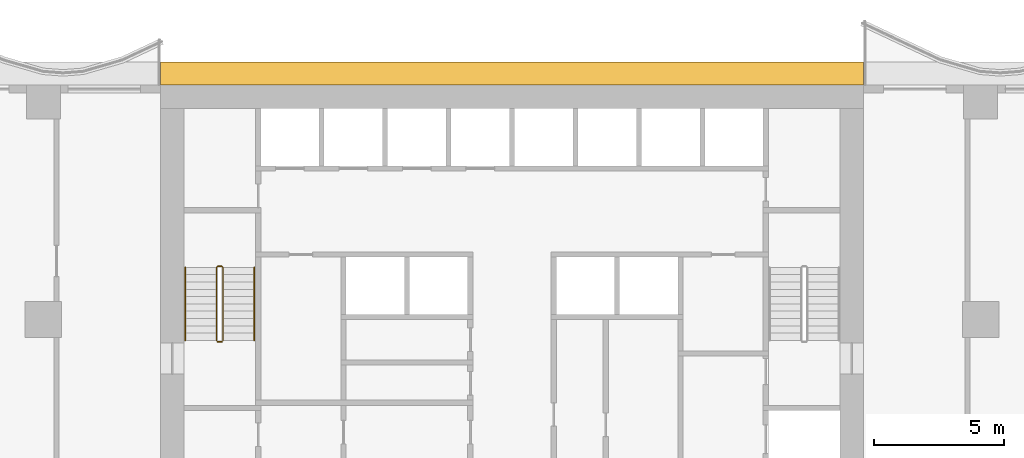
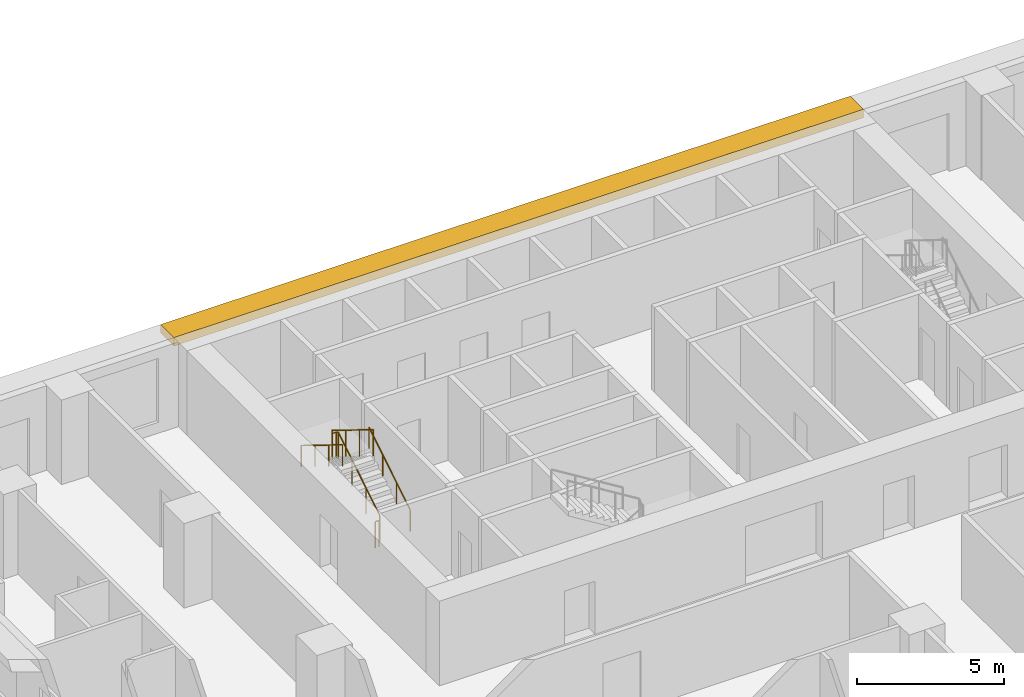
# One storey, part 11 of 13: 4 railings, 1 shading device.
"""IFC4 building model written with IfcOpenShell, lengths in metres."""

import ifcopenshell
import ifcopenshell.guid

model = None  # the IFC model being written
_history = None  # IfcOwnerHistory: only IFC2X3 demands one
_inside = {}  # id of a spatial element -> (the spatial element, [elements in it])
_under = {}  # id of a project, library or spatial element -> (it, [spatial elements below it])
_declared = {}  # id of a project -> (the project, [libraries it declares])
_typed = {}  # id of a type object -> (the type object, [elements of that type])
_made_of = {}  # id of a material, layer set ... -> (it, [elements and type objects made of it])


def new_model(schema):
    """Start an empty IFC model of exactly this schema.

    Asked for "IFC4X3", IfcOpenShell would pick the latest addendum, in which some entities
    have other attributes; the version numbers below select the first issue.
    IFC2X3 requires an IfcOwnerHistory on every rooted entity: one is made here for all.
    """
    global model, _history
    if schema == "IFC4X3":
        model = ifcopenshell.file(schema_version=(4, 3, 0, 0))
    else:
        model = ifcopenshell.file(schema=schema)
    _inside.clear()
    _under.clear()
    _declared.clear()
    _typed.clear()
    _made_of.clear()
    _history = None
    if model.schema == "IFC2X3":
        org = make("IfcOrganization", Name="unknown")
        user = make(
            "IfcPersonAndOrganization",
            ThePerson=make("IfcPerson", FamilyName="unknown"),
            TheOrganization=org,
        )
        app = make(
            "IfcApplication",
            ApplicationDeveloper=org,
            Version="unknown",
            ApplicationFullName="unknown",
            ApplicationIdentifier="unknown",
        )
        _history = make(
            "IfcOwnerHistory",
            OwningUser=user,
            OwningApplication=app,
            ChangeAction="ADDED",
            CreationDate=0,
        )
    return model


def make(cls, **values):
    """One entity of the class cls with the attributes given. An attribute that is None is left unset."""
    return model.create_entity(
        cls, **{name: value for name, value in values.items() if value is not None}
    )


def rooted(cls, **values):
    """An entity with a GlobalId (a new one), such as an element, a storey or a relation."""
    return make(cls, GlobalId=ifcopenshell.guid.new(), OwnerHistory=_history, **values)


def si_unit(unit_type, name, prefix=None):
    """IfcSIUnit, for example si_unit("LENGTHUNIT", "METRE", prefix="MILLI")."""
    return make("IfcSIUnit", UnitType=unit_type, Prefix=prefix, Name=name)


def assignment(units):
    """IfcUnitAssignment: the units of a project."""
    return None if units is None else make("IfcUnitAssignment", Units=units)


def point(xyz):
    """IfcCartesianPoint."""
    return None if xyz is None else make("IfcCartesianPoint", Coordinates=xyz)


def direction(xyz):
    """IfcDirection."""
    return None if xyz is None else make("IfcDirection", DirectionRatios=xyz)


def frame(location, z_axis=None, x_axis=None):
    """IfcAxis2Placement3D, a coordinate frame: its origin and axes. An axis left out is left unset."""
    return make(
        "IfcAxis2Placement3D",
        Location=point(location),
        Axis=direction(z_axis),
        RefDirection=direction(x_axis),
    )


def frame_2d(location, x_axis=None):
    """IfcAxis2Placement2D, a coordinate frame in the plane: its origin and x axis."""
    return make(
        "IfcAxis2Placement2D", Location=point(location), RefDirection=direction(x_axis)
    )


def origin():
    """The frame at (0, 0, 0) with its axes left unset."""
    return frame((0.0, 0.0, 0.0))


def origin_2d():
    """The frame at (0, 0) in the plane with its x axis left unset."""
    return frame_2d((0.0, 0.0))


def place(relative_to, where):
    """IfcLocalPlacement: puts the frame where relative to a parent placement (None: the world)."""
    return make(
        "IfcLocalPlacement", PlacementRelTo=relative_to, RelativePlacement=where
    )


def context(
    kind, dimensions, precision=None, world=None, true_north=None, identifier=None
):
    """IfcGeometricRepresentationContext, for example the 3D "Model" context."""
    return make(
        "IfcGeometricRepresentationContext",
        ContextIdentifier=identifier,
        ContextType=kind,
        CoordinateSpaceDimension=dimensions,
        Precision=precision,
        WorldCoordinateSystem=world,
        TrueNorth=true_north,
    )


def subcontext(parent, identifier, kind, view, scale=None):
    """IfcGeometricRepresentationSubContext, for example "Body" below "Model"."""
    return make(
        "IfcGeometricRepresentationSubContext",
        ContextIdentifier=identifier,
        ContextType=kind,
        ParentContext=parent,
        TargetScale=scale,
        TargetView=view,
    )


def project(units=None, contexts=None):
    """IfcProject with its units and contexts."""
    return rooted(
        "IfcProject",
        Name="project",
        RepresentationContexts=contexts,
        UnitsInContext=assignment(units),
    )


def spatial(cls, under=None, at=None, **own):
    """A site, building, storey or space (cls), placed at a placement, below another one or the project."""
    s = rooted(cls, ObjectPlacement=at, **own)
    if under is not None:
        _under.setdefault(under.id(), (under, []))[1].append(s)
    return s


def polyline(points):
    """IfcPolyline through the points."""
    return make("IfcPolyline", Points=[point(p) for p in points])


def profile(cls, at=None, kind="AREA", **sizes):
    """A parametric profile (cls). Its sizes go by their IFC names, for example OverallWidth=200.0."""
    return make(cls, ProfileType=kind, Position=at, **sizes)


def circle(**sizes):
    """IfcCircleProfileDef."""
    return profile("IfcCircleProfileDef", **sizes)


def outline(outer, holes=None, kind="AREA"):
    """IfcArbitraryClosedProfileDef: a profile drawn as a closed curve; with holes, ...WithVoids."""
    if holes is None:
        return make("IfcArbitraryClosedProfileDef", ProfileType=kind, OuterCurve=outer)
    return make(
        "IfcArbitraryProfileDefWithVoids",
        ProfileType=kind,
        OuterCurve=outer,
        InnerCurves=holes,
    )


def extrude(swept, where, along, depth):
    """IfcExtrudedAreaSolid: the profile swept, set in the frame where, extruded along a direction by depth."""
    return make(
        "IfcExtrudedAreaSolid",
        SweptArea=swept,
        Position=where,
        ExtrudedDirection=direction(along),
        Depth=depth,
    )


def shape(context_of_items, identifier, shape_type, items):
    """IfcShapeRepresentation: the items that make up one representation, for example the "Body"."""
    return make(
        "IfcShapeRepresentation",
        ContextOfItems=context_of_items,
        RepresentationIdentifier=identifier,
        RepresentationType=shape_type,
        Items=items,
    )


def material(Name=None, Category=None):
    """IfcMaterial."""
    return make("IfcMaterial", Name=Name, Category=Category)


def layer(
    of_material, thickness, ventilated=None, Name=None, Category=None, Priority=None
):
    """IfcMaterialLayer: one layer of a wall or slab, of a material (None: an air gap)."""
    return make(
        "IfcMaterialLayer",
        Material=of_material,
        LayerThickness=thickness,
        IsVentilated=ventilated,
        Name=Name,
        Category=Category,
        Priority=Priority,
    )


def layer_set(layers, Name=None):
    """IfcMaterialLayerSet."""
    return make("IfcMaterialLayerSet", MaterialLayers=layers, LayerSetName=Name)


def made_of(thing, what):
    """Note that an element or type object is made of a material, layer set ...; save() writes the relation."""
    if what is not None:
        _made_of.setdefault(what.id(), (what, []))[1].append(thing)
    return thing


def type_object(cls, material=None, **own):
    """A type object (cls), such as IfcWallType, which elements share."""
    return made_of(rooted(cls, **own), material)


def element(
    cls,
    number,
    at=None,
    inside=None,
    cuts=None,
    type_object=None,
    material=None,
    context=None,
    identifier="Body",
    shape_type=None,
    held_by="IfcProductDefinitionShape",
    body=None,
    shapes=None,
    **own,
):
    """One element of the class cls, such as IfcWall. Its Tag is "e" and its number.

    at: its placement. inside: the storey or other place that contains it. cuts: it is an
    opening in that element (IfcRelVoidsElement). A single representation is given by context,
    identifier, shape_type and body (its items); several are given by shapes. held_by: the class
    of the entity that holds the representations. save() writes the other relations.
    """
    e = rooted(cls, Tag="e%d" % number, ObjectPlacement=at, **own)
    if body is not None:
        shapes = [shape(context, identifier, shape_type, body)]
    if shapes is not None:
        e.Representation = make(held_by, Representations=shapes)
    if inside is not None:
        _inside.setdefault(inside.id(), (inside, []))[1].append(e)
    if cuts is not None:
        rooted(
            "IfcRelVoidsElement", RelatingBuildingElement=cuts, RelatedOpeningElement=e
        )
    if type_object is not None:
        _typed.setdefault(type_object.id(), (type_object, []))[1].append(e)
    return made_of(e, material)


def aggregate(whole, parts):
    """IfcRelAggregates: a whole, such as a stair, and the parts it consists of."""
    return rooted("IfcRelAggregates", RelatingObject=whole, RelatedObjects=parts)


def save(model, path):
    """Write the relations noted so far, then the file.

    IfcRelAggregates (storeys below a building ...), IfcRelContainedInSpatialStructure (elements
    in a storey), IfcRelDefinesByType, IfcRelAssociatesMaterial and IfcRelDeclares: one each for
    every whole, place, type object, material and project.
    """
    for whole, parts in _under.values():
        aggregate(whole, parts)
    for where, things in _inside.values():
        rooted(
            "IfcRelContainedInSpatialStructure",
            RelatedElements=things,
            RelatingStructure=where,
        )
    for kind, things in _typed.values():
        rooted("IfcRelDefinesByType", RelatedObjects=things, RelatingType=kind)
    for what, things in _made_of.values():
        rooted("IfcRelAssociatesMaterial", RelatedObjects=things, RelatingMaterial=what)
    for by, libraries in _declared.values():
        rooted("IfcRelDeclares", RelatingContext=by, RelatedDefinitions=libraries)
    model.write(path)


model = new_model("IFC4")

# Units and contexts
model_context = context("Model", 3, precision=1e-05, world=origin(), true_north=direction((0.0, 1.0)))
body_context = subcontext(model_context, "Body", "Model", "MODEL_VIEW")
ifc_project = project(units=[si_unit("LENGTHUNIT", "METRE"), si_unit("AREAUNIT", "SQUARE_METRE"), si_unit("VOLUMEUNIT", "CUBIC_METRE"), si_unit("PLANEANGLEUNIT", "RADIAN"), si_unit("MASSUNIT", "GRAM", prefix="KILO")], contexts=[model_context])

# Site, building, storey
site_placement = place(None, origin())
site = spatial("IfcSite", under=ifc_project, at=site_placement, CompositionType="ELEMENT")
building_placement = place(site_placement, origin())
building = spatial("IfcBuilding", under=site, at=building_placement, Name="Orbiselva Terraces", CompositionType="ELEMENT")
storey_placement = place(building_placement, frame((0.0, 0.0, 92.2)))
storey = spatial("IfcBuildingStorey", under=building, at=storey_placement, Name="L23", CompositionType="ELEMENT", Elevation=92.2)

# Railings
ifc_material_1 = material(Name="Stainless steel", Category="steel")
railing_type_1 = type_object("IfcRailingType", Name="CORE-GUARD-1100", PredefinedType="GUARDRAIL", material=ifc_material_1)
railing_1_placement = place(storey_placement, frame((-11.1, 12.7, 0.172727)))
element("IfcRailing", 1, at=railing_1_placement, inside=storey, type_object=railing_type_1, Name="L23 S1 stair guard 1", PredefinedType="GUARDRAIL", context=body_context, shape_type="SweptSolid", body=[
    extrude(circle(Radius=0.024, at=origin_2d()), frame((0.0, 0.0, 1.081), z_axis=(0.0, 0.851088519012, 0.52502222125), x_axis=(-1.0, 0.0, 0.0)), (0.0, 0.0, 1.0), 3.289905),
    extrude(circle(Radius=0.024, at=origin_2d()), frame((0.0, 2.8, 2.808273), z_axis=(-0.707106781187, 0.707106781187, 0.0), x_axis=(-0.707106781187, -0.707106781187, 0.0)), (0.0, 0.0, 1.0), 0.070711),
    extrude(circle(Radius=0.024, at=origin_2d()), frame((-0.05, 2.85, 2.808273), z_axis=(-1.0, 0.0, 0.0), x_axis=(0.0, -1.0, 0.0)), (0.0, 0.0, 1.0), 0.15),
    extrude(circle(Radius=0.024, at=origin_2d()), frame((-0.2, 2.85, 2.808273), z_axis=(-0.267894925557, -0.267894925557, 0.925453736133), x_axis=(0.707106781187, -0.707106781187, 0.0)), (0.0, 0.0, 1.0), 0.18664),
    extrude(circle(Radius=0.024, at=origin_2d()), frame((-0.25, 2.8, 2.981), z_axis=(0.0, -0.851088519012, 0.52502222125), x_axis=(1.0, 0.0, 0.0)), (0.0, 0.0, 1.0), 3.289905),
    extrude(circle(Radius=0.021, at=origin_2d()), origin(), (0.0, 0.0, 1.0), 1.057),
    extrude(circle(Radius=0.021, at=origin_2d()), frame((0.0, 0.933333, 0.575758)), (0.0, 0.0, 1.0), 1.057),
    extrude(circle(Radius=0.021, at=origin_2d()), frame((0.0, 1.866667, 1.151515)), (0.0, 0.0, 1.0), 1.057),
    extrude(circle(Radius=0.021, at=origin_2d()), frame((0.0, 2.8, 1.727273)), (0.0, 0.0, 1.0), 1.057),
    extrude(circle(Radius=0.021, at=origin_2d()), frame((-0.05, 2.85, 1.727273)), (0.0, 0.0, 1.0), 1.057),
    extrude(circle(Radius=0.021, at=origin_2d()), frame((-0.2, 2.85, 1.727273)), (0.0, 0.0, 1.0), 1.057),
    extrude(circle(Radius=0.021, at=origin_2d()), frame((-0.25, 2.8, 1.9)), (0.0, 0.0, 1.0), 1.057),
    extrude(circle(Radius=0.021, at=origin_2d()), frame((-0.25, 1.866667, 2.475758)), (0.0, 0.0, 1.0), 1.057),
    extrude(circle(Radius=0.021, at=origin_2d()), frame((-0.25, 0.933333, 3.051515)), (0.0, 0.0, 1.0), 1.057),
    extrude(circle(Radius=0.021, at=origin_2d()), frame((-0.25, 0.0, 3.627273)), (0.0, 0.0, 1.0), 1.057),
])
railing_2_placement = place(storey_placement, frame((-11.15, 12.65, 0.0)))
element("IfcRailing", 2, at=railing_2_placement, inside=storey, type_object=railing_type_1, Name="L23 S1 stair guard 2", PredefinedType="GUARDRAIL", context=body_context, shape_type="SweptSolid", body=[
    extrude(circle(Radius=0.024, at=origin_2d()), frame((0.0, 0.0, 1.081), z_axis=(-1.0, 0.0, 0.0), x_axis=(0.0, -1.0, 0.0)), (0.0, 0.0, 1.0), 0.15),
    extrude(circle(Radius=0.021, at=origin_2d()), origin(), (0.0, 0.0, 1.0), 1.057),
    extrude(circle(Radius=0.021, at=origin_2d()), frame((-0.15, 0.0, 0.0)), (0.0, 0.0, 1.0), 1.057),
])
railing_type_2 = type_object("IfcRailingType", Name="CORE-HANDRAIL-900", PredefinedType="HANDRAIL", material=ifc_material_1)
railing_3_placement = place(storey_placement, frame((-9.9, 12.7, 0.172727)))
element("IfcRailing", 3, at=railing_3_placement, inside=storey, type_object=railing_type_2, Name="L23 S1 stair handrail 1", PredefinedType="HANDRAIL", context=body_context, shape_type="SweptSolid", body=[
    extrude(circle(Radius=0.024, at=origin_2d()), frame((0.0, 0.0, 0.876), z_axis=(0.0, 0.851088519012, 0.52502222125), x_axis=(-1.0, 0.0, 0.0)), (0.0, 0.0, 1.0), 3.289905),
    extrude(circle(Radius=0.021, at=origin_2d()), origin(), (0.0, 0.0, 1.0), 0.852),
    extrude(circle(Radius=0.021, at=origin_2d()), frame((0.0, 0.933333, 0.575758)), (0.0, 0.0, 1.0), 0.852),
    extrude(circle(Radius=0.021, at=origin_2d()), frame((0.0, 1.866667, 1.151515)), (0.0, 0.0, 1.0), 0.852),
    extrude(circle(Radius=0.021, at=origin_2d()), frame((0.0, 2.8, 1.727273)), (0.0, 0.0, 1.0), 0.852),
])
railing_4_placement = place(storey_placement, frame((-12.55, 15.5, 2.072727)))
element("IfcRailing", 4, at=railing_4_placement, inside=storey, type_object=railing_type_2, Name="L23 S1 stair handrail 2", PredefinedType="HANDRAIL", context=body_context, shape_type="SweptSolid", body=[
    extrude(circle(Radius=0.024, at=origin_2d()), frame((0.0, 0.0, 0.876), z_axis=(0.0, -0.851088519012, 0.52502222125), x_axis=(1.0, 0.0, 0.0)), (0.0, 0.0, 1.0), 3.289905),
    extrude(circle(Radius=0.021, at=origin_2d()), origin(), (0.0, 0.0, 1.0), 0.852),
    extrude(circle(Radius=0.021, at=origin_2d()), frame((0.0, -0.933333, 0.575758)), (0.0, 0.0, 1.0), 0.852),
    extrude(circle(Radius=0.021, at=origin_2d()), frame((0.0, -1.866667, 1.151515)), (0.0, 0.0, 1.0), 0.852),
    extrude(circle(Radius=0.021, at=origin_2d()), frame((0.0, -2.8, 1.727273)), (0.0, 0.0, 1.0), 0.852),
])

# Shading device
ifc_material_2 = material(Name="Terracotta baguette sunshade", Category="masonry")
ifc_layer = layer(ifc_material_2, 0.35)
ifc_layer_set = layer_set([ifc_layer], Name="Terracotta baguette sunshade")
shading_device_type = type_object("IfcShadingDeviceType", Name="ENV-SUNSHADE-900x350", PredefinedType="USERDEFINED", material=ifc_layer_set)
shading_device_placement = place(storey_placement, frame((0.0, 0.0, 3.15)))
element("IfcShadingDevice", 5, at=shading_device_placement, inside=storey, type_object=shading_device_type, Name="Sunshade band L23 CORE NORTH", ObjectType="SUNSHADE", PredefinedType="USERDEFINED", context=body_context, shape_type="SweptSolid", body=[
    extrude(outline(polyline([(13.5, 23.4), (-13.5, 23.4), (-13.5, 22.5), (13.5, 22.5), (13.5, 23.4)])), origin(), (0.0, 0.0, 1.0), 0.35),
])

save(model, "model.ifc")
